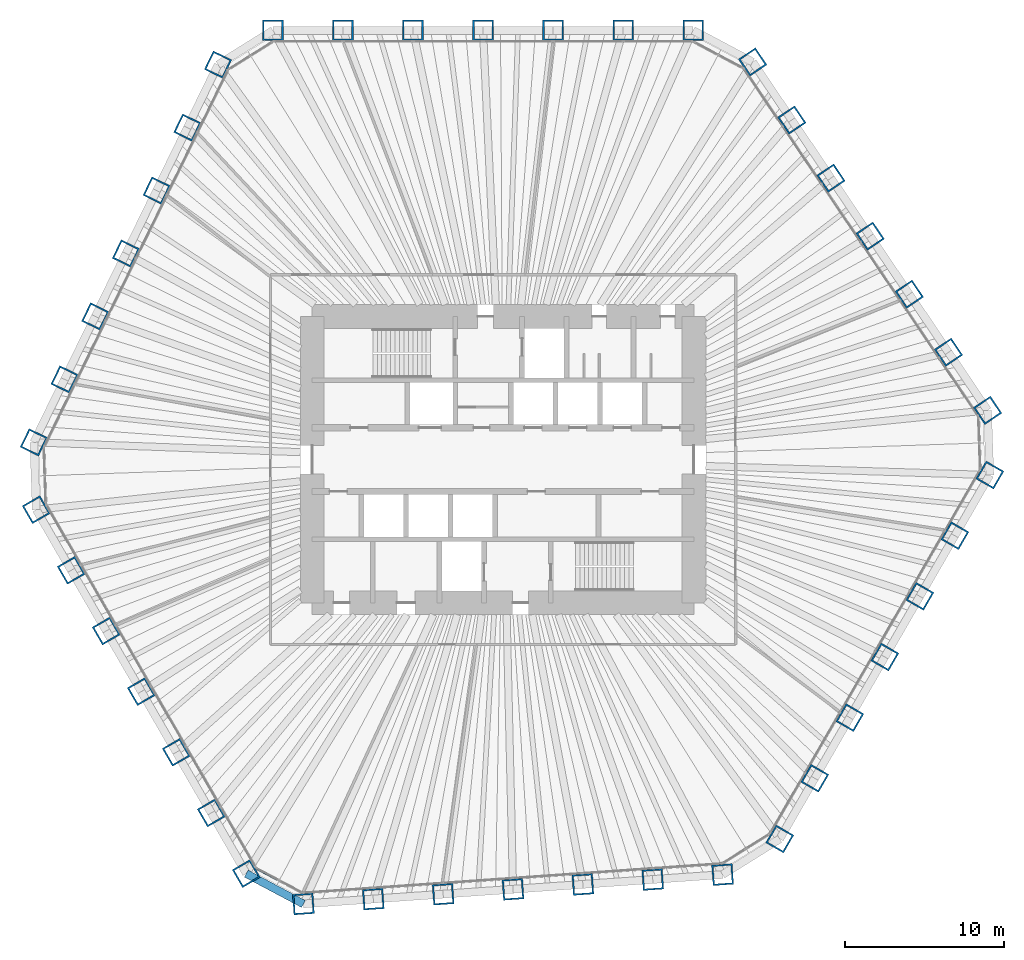
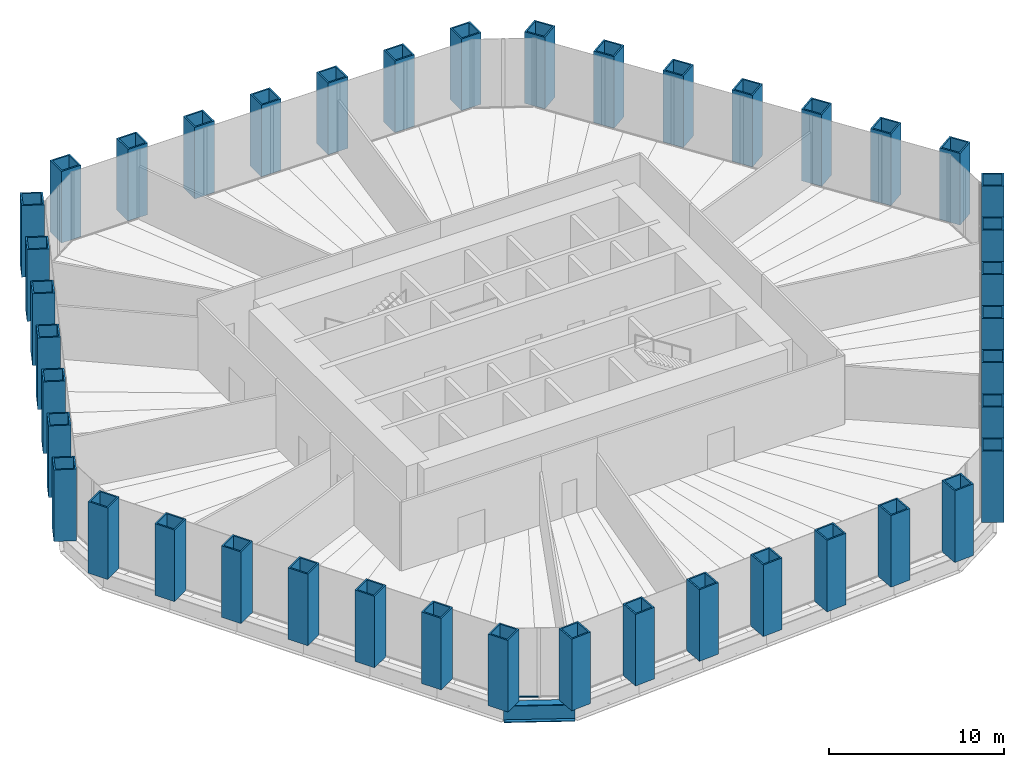
# One storey, part 1 of 13: 42 columns, 1 beam, 1 member, 1 element without a shape of its own.
"""IFC4 building model written with IfcOpenShell, lengths in metres."""

import ifcopenshell
import ifcopenshell.guid

model = None  # the IFC model being written
_history = None  # IfcOwnerHistory: only IFC2X3 demands one
_inside = {}  # id of a spatial element -> (the spatial element, [elements in it])
_under = {}  # id of a project, library or spatial element -> (it, [spatial elements below it])
_declared = {}  # id of a project -> (the project, [libraries it declares])
_typed = {}  # id of a type object -> (the type object, [elements of that type])
_made_of = {}  # id of a material, layer set ... -> (it, [elements and type objects made of it])


def new_model(schema):
    """Start an empty IFC model of exactly this schema.

    Asked for "IFC4X3", IfcOpenShell would pick the latest addendum, in which some entities
    have other attributes; the version numbers below select the first issue.
    IFC2X3 requires an IfcOwnerHistory on every rooted entity: one is made here for all.
    """
    global model, _history
    if schema == "IFC4X3":
        model = ifcopenshell.file(schema_version=(4, 3, 0, 0))
    else:
        model = ifcopenshell.file(schema=schema)
    _inside.clear()
    _under.clear()
    _declared.clear()
    _typed.clear()
    _made_of.clear()
    _history = None
    if model.schema == "IFC2X3":
        org = make("IfcOrganization", Name="unknown")
        user = make(
            "IfcPersonAndOrganization",
            ThePerson=make("IfcPerson", FamilyName="unknown"),
            TheOrganization=org,
        )
        app = make(
            "IfcApplication",
            ApplicationDeveloper=org,
            Version="unknown",
            ApplicationFullName="unknown",
            ApplicationIdentifier="unknown",
        )
        _history = make(
            "IfcOwnerHistory",
            OwningUser=user,
            OwningApplication=app,
            ChangeAction="ADDED",
            CreationDate=0,
        )
    return model


def make(cls, **values):
    """One entity of the class cls with the attributes given. An attribute that is None is left unset."""
    return model.create_entity(
        cls, **{name: value for name, value in values.items() if value is not None}
    )


def rooted(cls, **values):
    """An entity with a GlobalId (a new one), such as an element, a storey or a relation."""
    return make(cls, GlobalId=ifcopenshell.guid.new(), OwnerHistory=_history, **values)


def si_unit(unit_type, name, prefix=None):
    """IfcSIUnit, for example si_unit("LENGTHUNIT", "METRE", prefix="MILLI")."""
    return make("IfcSIUnit", UnitType=unit_type, Prefix=prefix, Name=name)


def assignment(units):
    """IfcUnitAssignment: the units of a project."""
    return None if units is None else make("IfcUnitAssignment", Units=units)


def point(xyz):
    """IfcCartesianPoint."""
    return None if xyz is None else make("IfcCartesianPoint", Coordinates=xyz)


def direction(xyz):
    """IfcDirection."""
    return None if xyz is None else make("IfcDirection", DirectionRatios=xyz)


def frame(location, z_axis=None, x_axis=None):
    """IfcAxis2Placement3D, a coordinate frame: its origin and axes. An axis left out is left unset."""
    return make(
        "IfcAxis2Placement3D",
        Location=point(location),
        Axis=direction(z_axis),
        RefDirection=direction(x_axis),
    )


def frame_2d(location, x_axis=None):
    """IfcAxis2Placement2D, a coordinate frame in the plane: its origin and x axis."""
    return make(
        "IfcAxis2Placement2D", Location=point(location), RefDirection=direction(x_axis)
    )


def origin():
    """The frame at (0, 0, 0) with its axes left unset."""
    return frame((0.0, 0.0, 0.0))


def origin_2d():
    """The frame at (0, 0) in the plane with its x axis left unset."""
    return frame_2d((0.0, 0.0))


def place(relative_to, where):
    """IfcLocalPlacement: puts the frame where relative to a parent placement (None: the world)."""
    return make(
        "IfcLocalPlacement", PlacementRelTo=relative_to, RelativePlacement=where
    )


def context(
    kind, dimensions, precision=None, world=None, true_north=None, identifier=None
):
    """IfcGeometricRepresentationContext, for example the 3D "Model" context."""
    return make(
        "IfcGeometricRepresentationContext",
        ContextIdentifier=identifier,
        ContextType=kind,
        CoordinateSpaceDimension=dimensions,
        Precision=precision,
        WorldCoordinateSystem=world,
        TrueNorth=true_north,
    )


def subcontext(parent, identifier, kind, view, scale=None):
    """IfcGeometricRepresentationSubContext, for example "Body" below "Model"."""
    return make(
        "IfcGeometricRepresentationSubContext",
        ContextIdentifier=identifier,
        ContextType=kind,
        ParentContext=parent,
        TargetScale=scale,
        TargetView=view,
    )


def project(units=None, contexts=None):
    """IfcProject with its units and contexts."""
    return rooted(
        "IfcProject",
        Name="project",
        RepresentationContexts=contexts,
        UnitsInContext=assignment(units),
    )


def spatial(cls, under=None, at=None, **own):
    """A site, building, storey or space (cls), placed at a placement, below another one or the project."""
    s = rooted(cls, ObjectPlacement=at, **own)
    if under is not None:
        _under.setdefault(under.id(), (under, []))[1].append(s)
    return s


def profile(cls, at=None, kind="AREA", **sizes):
    """A parametric profile (cls). Its sizes go by their IFC names, for example OverallWidth=200.0."""
    return make(cls, ProfileType=kind, Position=at, **sizes)


def rectangle(**sizes):
    """IfcRectangleProfileDef."""
    return profile("IfcRectangleProfileDef", **sizes)


def hollow_rectangle(**sizes):
    """IfcRectangleHollowProfileDef."""
    return profile("IfcRectangleHollowProfileDef", **sizes)


def i_section(**sizes):
    """IfcIShapeProfileDef."""
    return profile("IfcIShapeProfileDef", **sizes)


def extrude(swept, where, along, depth):
    """IfcExtrudedAreaSolid: the profile swept, set in the frame where, extruded along a direction by depth."""
    return make(
        "IfcExtrudedAreaSolid",
        SweptArea=swept,
        Position=where,
        ExtrudedDirection=direction(along),
        Depth=depth,
    )


def shape(context_of_items, identifier, shape_type, items):
    """IfcShapeRepresentation: the items that make up one representation, for example the "Body"."""
    return make(
        "IfcShapeRepresentation",
        ContextOfItems=context_of_items,
        RepresentationIdentifier=identifier,
        RepresentationType=shape_type,
        Items=items,
    )


def material(Name=None, Category=None):
    """IfcMaterial."""
    return make("IfcMaterial", Name=Name, Category=Category)


def material_profile(
    of_material, cross_section, Name=None, Category=None, Priority=None
):
    """IfcMaterialProfile: a cross section and its material."""
    return make(
        "IfcMaterialProfile",
        Name=Name,
        Material=of_material,
        Profile=cross_section,
        Priority=Priority,
        Category=Category,
    )


def profile_set(profiles, Name=None, composite=None):
    """IfcMaterialProfileSet."""
    return make(
        "IfcMaterialProfileSet",
        Name=Name,
        MaterialProfiles=profiles,
        CompositeProfile=composite,
    )


def made_of(thing, what):
    """Note that an element or type object is made of a material, layer set ...; save() writes the relation."""
    if what is not None:
        _made_of.setdefault(what.id(), (what, []))[1].append(thing)
    return thing


def type_object(cls, material=None, **own):
    """A type object (cls), such as IfcWallType, which elements share."""
    return made_of(rooted(cls, **own), material)


def element(
    cls,
    number,
    at=None,
    inside=None,
    cuts=None,
    type_object=None,
    material=None,
    context=None,
    identifier="Body",
    shape_type=None,
    held_by="IfcProductDefinitionShape",
    body=None,
    shapes=None,
    **own,
):
    """One element of the class cls, such as IfcWall. Its Tag is "e" and its number.

    at: its placement. inside: the storey or other place that contains it. cuts: it is an
    opening in that element (IfcRelVoidsElement). A single representation is given by context,
    identifier, shape_type and body (its items); several are given by shapes. held_by: the class
    of the entity that holds the representations. save() writes the other relations.
    """
    e = rooted(cls, Tag="e%d" % number, ObjectPlacement=at, **own)
    if body is not None:
        shapes = [shape(context, identifier, shape_type, body)]
    if shapes is not None:
        e.Representation = make(held_by, Representations=shapes)
    if inside is not None:
        _inside.setdefault(inside.id(), (inside, []))[1].append(e)
    if cuts is not None:
        rooted(
            "IfcRelVoidsElement", RelatingBuildingElement=cuts, RelatedOpeningElement=e
        )
    if type_object is not None:
        _typed.setdefault(type_object.id(), (type_object, []))[1].append(e)
    return made_of(e, material)


def aggregate(whole, parts):
    """IfcRelAggregates: a whole, such as a stair, and the parts it consists of."""
    return rooted("IfcRelAggregates", RelatingObject=whole, RelatedObjects=parts)


def save(model, path):
    """Write the relations noted so far, then the file.

    IfcRelAggregates (storeys below a building ...), IfcRelContainedInSpatialStructure (elements
    in a storey), IfcRelDefinesByType, IfcRelAssociatesMaterial and IfcRelDeclares: one each for
    every whole, place, type object, material and project.
    """
    for whole, parts in _under.values():
        aggregate(whole, parts)
    for where, things in _inside.values():
        rooted(
            "IfcRelContainedInSpatialStructure",
            RelatedElements=things,
            RelatingStructure=where,
        )
    for kind, things in _typed.values():
        rooted("IfcRelDefinesByType", RelatedObjects=things, RelatingType=kind)
    for what, things in _made_of.values():
        rooted("IfcRelAssociatesMaterial", RelatedObjects=things, RelatingMaterial=what)
    for by, libraries in _declared.values():
        rooted("IfcRelDeclares", RelatingContext=by, RelatedDefinitions=libraries)
    model.write(path)


model = new_model("IFC4")

# Units and contexts
model_context = context("Model", 3, precision=1e-05, world=origin(), true_north=direction((0.0, 1.0)))
body_context = subcontext(model_context, "Body", "Model", "MODEL_VIEW")
ifc_project = project(units=[si_unit("LENGTHUNIT", "METRE"), si_unit("AREAUNIT", "SQUARE_METRE"), si_unit("VOLUMEUNIT", "CUBIC_METRE"), si_unit("PLANEANGLEUNIT", "RADIAN"), si_unit("MASSUNIT", "GRAM", prefix="KILO")], contexts=[model_context])

# Site, building, storey
site_placement = place(None, origin())
site = spatial("IfcSite", under=ifc_project, at=site_placement, CompositionType="ELEMENT")
building_placement = place(site_placement, origin())
building = spatial("IfcBuilding", under=site, at=building_placement, Name="Qingtian Harvest Tower", CompositionType="ELEMENT")
storey_placement = place(building_placement, frame((0.0, 0.0, 37.0)))
storey = spatial("IfcBuildingStorey", under=building, at=storey_placement, Name="L07", CompositionType="ELEMENT", Elevation=37.0)

# Columns
ifc_material_1 = material(Name="Steel SM570MC", Category="steel")
ifc_material_profile_1 = material_profile(ifc_material_1, hollow_rectangle(XDim=1.300048828125, YDim=1.300048828125, WallThickness=0.10009765625, at=origin_2d()), Name="BOX1300x1300x100")
ifc_profile_set_1 = profile_set([ifc_material_profile_1], Name="Steel SM570MC")
column_type = type_object("IfcColumnType", Name="Tube column TC1 BOX1300x1300x100", PredefinedType="COLUMN", material=ifc_profile_set_1)
for number, where, z_axis, x_axis, name in (
    (1, (-14.471435546875, 27.0, 0.0), (0.0, 0.0, 1.0), (-1.0, 0.0, 0.0), "Tube column TC1 N0"),
    (2, (-10.06689453125, 27.0, 0.0), (0.0, 0.0, 1.0), (-1.0, 0.0, 0.0), "Tube column TC1 N1"),
    (3, (-5.662353515625, 27.0, 0.0), (0.0, 0.0, 1.0), (-1.0, 0.0, 0.0), "Tube column TC1 N2"),
    (4, (-1.257568359375, 27.0, 0.0), (0.0, 0.0, 1.0), (-1.0, 0.0, 0.0), "Tube column TC1 N3"),
    (5, (3.14697265625, 27.0, 0.0), (0.0, 0.0, 1.0), (-1.0, 0.0, 0.0), "Tube column TC1 N4"),
    (6, (7.551513671875, 27.0, 0.0), (0.0, 0.0, 1.0), (-1.0, 0.0, 0.0), "Tube column TC1 N5"),
    (7, (11.9560546875, 27.0, 0.0), (0.0, 0.0, 1.0), (-1.0, 0.0, 0.0), "Tube column TC1 N6"),
    (8, (15.6982421875, 25.01025390625, 0.0), (0.0, 0.0, 1.0), (-0.559192903471, 0.829037572555, 0.0), "Tube column TC1 NE0"),
    (9, (18.1611328125, 21.358642578125, 0.0), (0.0, 0.0, 1.0), (-0.559192903471, 0.829037572555, 0.0), "Tube column TC1 NE1"),
    (10, (20.624267578125, 17.70703125, 0.0), (0.0, 0.0, 1.0), (-0.559192903471, 0.829037572555, 0.0), "Tube column TC1 NE2"),
    (11, (23.08740234375, 14.0556640625, 0.0), (0.0, 0.0, 1.0), (-0.559192903471, 0.829037572555, 0.0), "Tube column TC1 NE3"),
    (12, (25.55029296875, 10.404052734375, 0.0), (0.0, 0.0, 1.0), (-0.559192903471, 0.829037572555, 0.0), "Tube column TC1 NE4"),
    (13, (28.013427734375, 6.75244140625, 0.0), (0.0, 0.0, 1.0), (-0.559192903471, 0.829037572555, 0.0), "Tube column TC1 NE5"),
    (14, (30.476318359375, 3.100830078125, 0.0), (0.0, 0.0, 1.0), (-0.559192903471, 0.829037572555, 0.0), "Tube column TC1 NE6"),
    (15, (30.618408203125, -0.96728515625, 0.0), (0.0, 0.0, 1.0), (0.5, 0.866025403784, 0.0), "Tube column TC1 SE0"),
    (16, (28.416015625, -4.78173828125, 0.0), (0.0, 0.0, 1.0), (0.5, 0.866025403784, 0.0), "Tube column TC1 SE1"),
    (17, (26.2138671875, -8.596435546875, 0.0), (0.0, 0.0, 1.0), (0.5, 0.866025403784, 0.0), "Tube column TC1 SE2"),
    (18, (24.011474609375, -12.410888671875, 0.0), (0.0, 0.0, 1.0), (0.5, 0.866025403784, 0.0), "Tube column TC1 SE3"),
    (19, (21.809326171875, -16.225341796875, 0.0), (0.0, 0.0, 1.0), (0.5, 0.866025403784, 0.0), "Tube column TC1 SE4"),
    (20, (19.60693359375, -20.039794921875, 0.0), (0.0, 0.0, 1.0), (0.5, 0.866025403784, 0.0), "Tube column TC1 SE5"),
    (21, (17.404541015625, -23.854248046875, 0.0), (0.0, 0.0, 1.0), (0.5, 0.866025403784, 0.0), "Tube column TC1 SE6"),
    (22, (13.810546875, -26.10009765625, 0.0), (0.0, 0.0, 1.0), (0.99756405026, 0.069756473744, 0.0), "Tube column TC1 S0"),
    (23, (9.41650390625, -26.407470703125, 0.0), (0.0, 0.0, 1.0), (0.99756405026, 0.069756473744, 0.0), "Tube column TC1 S1"),
    (24, (5.022705078125, -26.714599609375, 0.0), (0.0, 0.0, 1.0), (0.99756405026, 0.069756473744, 0.0), "Tube column TC1 S2"),
    (25, (0.62890625, -27.02197265625, 0.0), (0.0, 0.0, 1.0), (0.99756405026, 0.069756473744, 0.0), "Tube column TC1 S3"),
    (26, (-3.76513671875, -27.3291015625, 0.0), (0.0, 0.0, 1.0), (0.99756405026, 0.069756473744, 0.0), "Tube column TC1 S4"),
    (27, (-8.158935546875, -27.636474609375, 0.0), (0.0, 0.0, 1.0), (0.99756405026, 0.069756473744, 0.0), "Tube column TC1 S5"),
    (28, (-12.552734375, -27.943603515625, 0.0), (0.0, 0.0, 1.0), (0.99756405026, 0.069756473744, 0.0), "Tube column TC1 S6"),
    (29, (-16.14697265625, -26.03271484375, 0.0), (0.0, 0.0, 1.0), (0.5, -0.866025403784, 0.0), "Tube column TC1 SW0"),
    (30, (-18.349365234375, -22.21826171875, 0.0), (0.0, 0.0, 1.0), (0.5, -0.866025403784, 0.0), "Tube column TC1 SW1"),
    (31, (-20.551513671875, -18.403564453125, 0.0), (0.0, 0.0, 1.0), (0.5, -0.866025403784, 0.0), "Tube column TC1 SW2"),
    (32, (-22.75390625, -14.589111328125, 0.0), (0.0, 0.0, 1.0), (0.5, -0.866025403784, 0.0), "Tube column TC1 SW3"),
    (33, (-24.9560546875, -10.774658203125, 0.0), (0.0, 0.0, 1.0), (0.5, -0.866025403784, 0.0), "Tube column TC1 SW4"),
    (34, (-27.158447265625, -6.960205078125, 0.0), (0.0, 0.0, 1.0), (0.5, -0.866025403784, 0.0), "Tube column TC1 SW5"),
    (35, (-29.36083984375, -3.145751953125, 0.0), (0.0, 0.0, 1.0), (0.5, -0.866025403784, 0.0), "Tube column TC1 SW6"),
    (36, (-29.5087890625, 1.08984375, 0.0), (0.0, 0.0, 1.0), (-0.438371146789, -0.898794046299, 0.0), "Tube column TC1 NW0"),
    (37, (-27.577880859375, 5.048828125, 0.0), (0.0, 0.0, 1.0), (-0.438371146789, -0.898794046299, 0.0), "Tube column TC1 NW1"),
    (38, (-25.64697265625, 9.007568359375, 0.0), (0.0, 0.0, 1.0), (-0.438371146789, -0.898794046299, 0.0), "Tube column TC1 NW2"),
    (39, (-23.716064453125, 12.96630859375, 0.0), (0.0, 0.0, 1.0), (-0.438371146789, -0.898794046299, 0.0), "Tube column TC1 NW3"),
    (40, (-21.78515625, 16.92529296875, 0.0), (0.0, 0.0, 1.0), (-0.438371146789, -0.898794046299, 0.0), "Tube column TC1 NW4"),
    (41, (-19.8544921875, 20.884033203125, 0.0), (0.0, 0.0, 1.0), (-0.438371146789, -0.898794046299, 0.0), "Tube column TC1 NW5"),
    (42, (-17.923583984375, 24.8427734375, 0.0), (0.0, 0.0, 1.0), (-0.438371146789, -0.898794046299, 0.0), "Tube column TC1 NW6"),
):
    element("IfcColumn", number, at=place(storey_placement, frame(where, z_axis=z_axis, x_axis=x_axis)), inside=storey, type_object=column_type, Name=name, PredefinedType="COLUMN", context=body_context, shape_type="SweptSolid", body=[
        extrude(hollow_rectangle(XDim=1.300048828125, YDim=1.300048828125, WallThickness=0.10009765625, at=origin_2d()), origin(), (0.0, 0.0, 1.0), 5.0),
    ])

# Beam
ifc_material_2 = material(Name="Steel SM570MC", Category="steel")
ifc_material_profile_2 = material_profile(ifc_material_2, i_section(OverallWidth=0.5, OverallDepth=1.199951171875, WebThickness=0.02490234375, FlangeThickness=0.050048828125, at=origin_2d()), Name="H1200x500x25x50")
ifc_profile_set_2 = profile_set([ifc_material_profile_2], Name="Steel SM570MC")
beam_type = type_object("IfcBeamType", Name="Spandrel beam SB1 H1200x500x25x50", PredefinedType="SPANDREL", material=ifc_profile_set_2)
beam_placement = place(storey_placement, frame((-12.552734375, -27.943603515625, -0.60009765625), z_axis=(-0.882968133669, 0.469432929101, 0.0), x_axis=(-0.469432929101, -0.882968133669, 0.0)))
element("IfcBeam", 43, at=beam_placement, inside=storey, type_object=beam_type, Name="Spandrel SB1 SC", PredefinedType="SPANDREL", context=body_context, shape_type="SweptSolid", body=[
    extrude(i_section(OverallWidth=0.5, OverallDepth=1.199951171875, WebThickness=0.02490234375, FlangeThickness=0.050048828125, at=origin_2d()), origin(), (0.0, 0.0, 1.0), 4.070556640625),
])

# Curtain wall, member
ifc_material_3 = material(Name="Bronze-anodised aluminium curtain wall", Category="aluminium")
curtain_wall_type = type_object("IfcCurtainWallType", Name="Curtain wall CW2 farm reception", PredefinedType="USERDEFINED", material=ifc_material_3)
curtain_wall_placement = place(storey_placement, origin())
curtain_wall = element("IfcCurtainWall", 44, at=curtain_wall_placement, inside=storey, type_object=curtain_wall_type, Name="Curtain wall CW2 L07 SC", ObjectType="RECESSED CURTAIN WALL", PredefinedType="USERDEFINED")
ifc_material_4 = material(Name="Bronze-anodised aluminium transom", Category="aluminium")
ifc_material_profile_3 = material_profile(ifc_material_4, rectangle(XDim=0.14990234375, YDim=0.06494140625, at=origin_2d()), Name="AL 65x150")
ifc_profile_set_3 = profile_set([ifc_material_profile_3], Name="Bronze-anodised aluminium transom")
member_type = type_object("IfcMemberType", Name="Transom CWT 65x150", PredefinedType="USERDEFINED", material=ifc_profile_set_3)
member_placement = place(storey_placement, frame((-14.099853515625, -26.44873046875, 0.032470703125), z_axis=(-0.882960338349, 0.46944759122, 0.0), x_axis=(-0.46944759122, -0.882960338349, 0.0)))
member = element("IfcMember", 45, at=member_placement, type_object=member_type, Name="CW2 transom 2.1", ObjectType="TRANSOM", PredefinedType="USERDEFINED", context=body_context, shape_type="SweptSolid", body=[
    extrude(rectangle(XDim=0.14990234375, YDim=0.06494140625, at=origin_2d()), origin(), (0.0, 0.0, 1.0), 1.56689453125),
])
aggregate(curtain_wall, [member])

save(model, "model.ifc")
